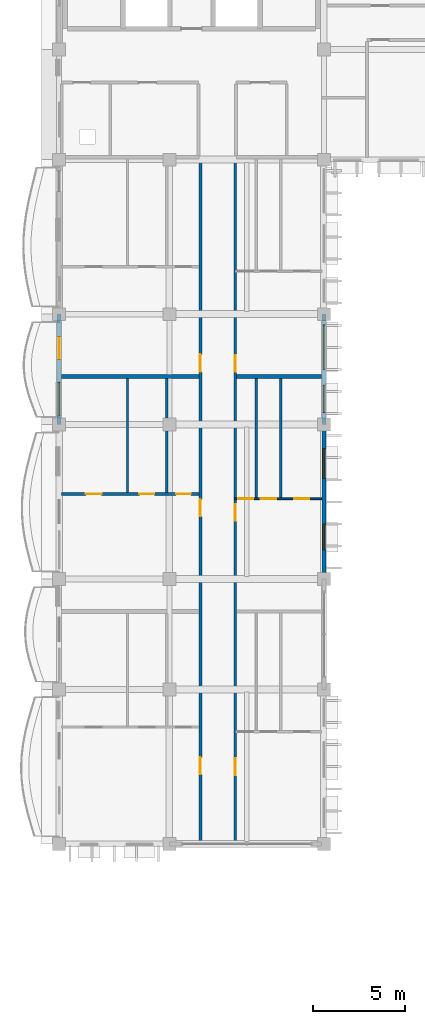
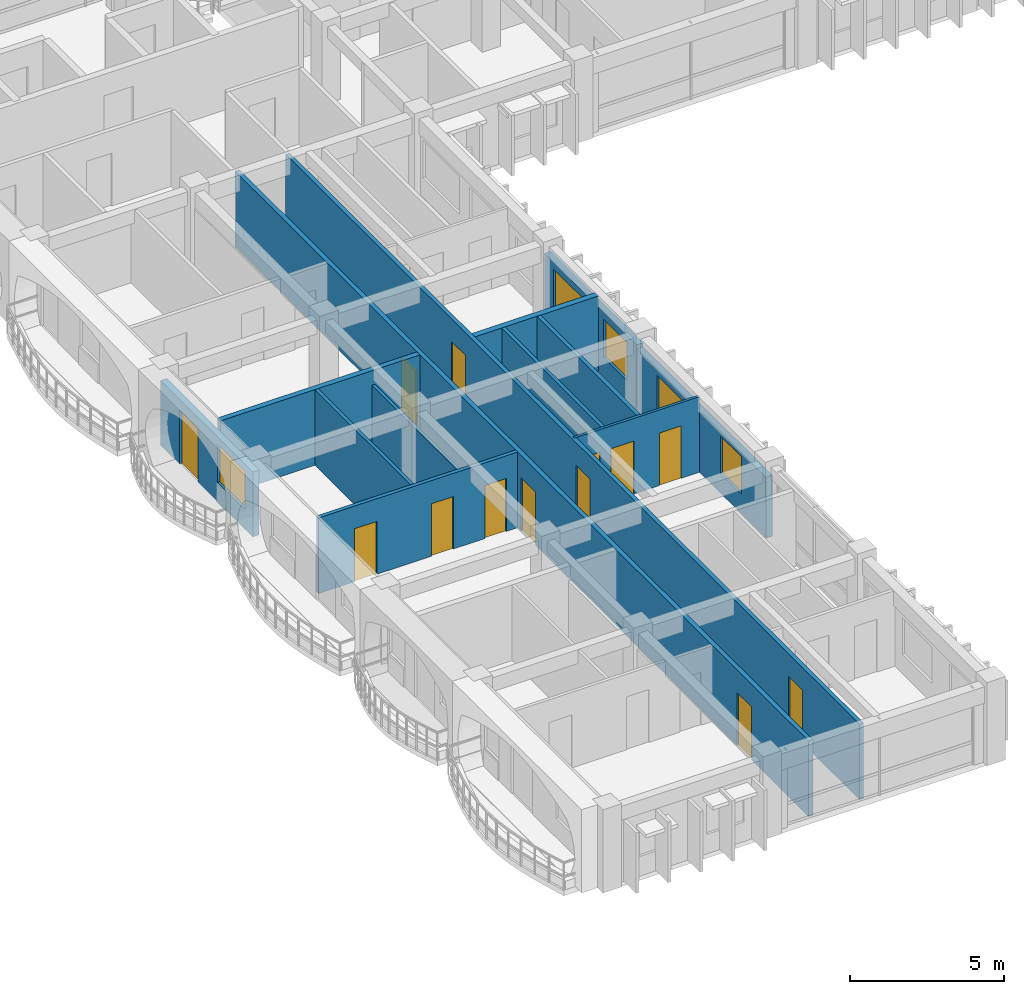
# One storey, part 32 of 79: 13 doors, 13 walls, 5 windows, 18 openings.
"""IFC4 building model written with IfcOpenShell, lengths in metres."""

from ifc_helpers import new_model, si_unit, direction, frame, frame_2d, origin, place, context, subcontext, project, spatial, rectangle, extrude, material, layer, layer_set, type_object, element, fill, save


model = new_model("IFC4")

# Units and contexts
model_context = context("Model", 3, precision=1e-05, world=origin(), true_north=direction((0.0, 1.0)))
body_context = subcontext(model_context, "Body", "Model", "MODEL_VIEW")
ifc_project = project(units=[si_unit("LENGTHUNIT", "METRE"), si_unit("AREAUNIT", "SQUARE_METRE"), si_unit("VOLUMEUNIT", "CUBIC_METRE"), si_unit("PLANEANGLEUNIT", "RADIAN"), si_unit("MASSUNIT", "GRAM", prefix="KILO"), si_unit("THERMODYNAMICTEMPERATUREUNIT", "KELVIN")], contexts=[model_context])

# Site, building, storey
site_placement = place(None, origin())
site = spatial("IfcSite", under=ifc_project, at=site_placement, CompositionType="ELEMENT")
building_placement = place(site_placement, origin())
building = spatial("IfcBuilding", under=site, at=building_placement, Name="Thalorik Housing Commons", CompositionType="ELEMENT")
storey_placement = place(building_placement, frame((0.0, 0.0, 11.39990234375)))
storey = spatial("IfcBuildingStorey", under=building, at=storey_placement, Name="L03", CompositionType="ELEMENT", Elevation=11.39990234375)

# Wall, openings, doors
ifc_material_1 = material(Name="Masonry fire-rated corridor wall", Category="masonry")
ifc_layer_1 = layer(ifc_material_1, 0.14990234375, Name="Masonry fire-rated corridor wall", Category="masonry")
ifc_layer_set_1 = layer_set([ifc_layer_1], Name="Masonry fire-rated corridor wall")
wall_type_1 = type_object("IfcWallType", Name="ARC-WAL-CORR-150", PredefinedType="PARTITIONING", material=ifc_layer_set_1)
wall_1_placement = place(storey_placement, frame((17.97998046875, 72.06005859375, 0.0), z_axis=(0.0, 0.0, 1.0), x_axis=(0.0, 1.0, 0.0)))
wall_1 = element("IfcWall", 1, at=wall_1_placement, inside=storey, type_object=wall_type_1, Name="L03 Block A W Corridor Wall 2", PredefinedType="PARTITIONING", context=body_context, shape_type="SweptSolid", body=[
    extrude(rectangle(XDim=37.280029296875, YDim=0.14990234375, at=frame_2d((18.64013671875, 0.0))), origin(), (0.0, 0.0, 1.0), 3.0),
])
opening_1_placement = place(wall_1_placement, frame((3.683837890625, 0.0, 0.0)))
opening_1 = element("IfcOpeningElement", 2, at=opening_1_placement, cuts=wall_1, Name="Opening ID-0546", PredefinedType="OPENING", context=body_context, shape_type="SweptSolid", body=[
    extrude(rectangle(XDim=0.919921875, YDim=2.10009765625, at=frame_2d((0.4599609375, 1.050048828125))), frame((0.0, 0.0849609375, 0.0), z_axis=(0.0, -1.0, 0.0), x_axis=(1.0, 0.0, 0.0)), (0.0, 0.0, 1.0), 0.169921875),
])
opening_2_placement = place(wall_1_placement, frame((17.49951171875, 0.0, 0.0)))
opening_2 = element("IfcOpeningElement", 3, at=opening_2_placement, cuts=wall_1, Name="Opening ID-0547", PredefinedType="OPENING", context=body_context, shape_type="SweptSolid", body=[
    extrude(rectangle(XDim=0.919921875, YDim=2.10009765625, at=frame_2d((0.4599609375, 1.050048828125))), frame((0.0, 0.0849609375, 0.0), z_axis=(0.0, -1.0, 0.0), x_axis=(1.0, 0.0, 0.0)), (0.0, 0.0, 1.0), 0.169921875),
])
opening_3_placement = place(wall_1_placement, frame((25.60009765625, 0.0, 0.0)))
opening_3 = element("IfcOpeningElement", 4, at=opening_3_placement, cuts=wall_1, Name="Opening ID-0548", PredefinedType="OPENING", context=body_context, shape_type="SweptSolid", body=[
    extrude(rectangle(XDim=0.919921875, YDim=2.10009765625, at=frame_2d((0.4599609375, 1.050048828125))), frame((0.0, 0.0849609375, 0.0), z_axis=(0.0, -1.0, 0.0), x_axis=(1.0, 0.0, 0.0)), (0.0, 0.0, 1.0), 0.169921875),
])
ifc_material_2 = material(Name="Solid core hardwood timber", Category="wood")
door_type_1 = type_object("IfcDoorType", Name="ARC-DR-FD30-920", OperationType="NOTDEFINED", PredefinedType="DOOR", material=ifc_material_2)
door_1_placement = place(opening_1_placement, origin())
door_1 = element("IfcDoor", 5, at=door_1_placement, inside=storey, type_object=door_type_1, Name="L03 Flat AW-1B Entrance Door", OperationType="SINGLE_SWING_LEFT", OverallHeight=2.10009765625, OverallWidth=0.919921875, PredefinedType="DOOR", context=body_context, shape_type="SweptSolid", body=[
    extrude(rectangle(XDim=0.919921875, YDim=2.10009765625, at=frame_2d((0.4599609375, 1.050048828125))), frame((0.0, 0.02490234375, 0.0), z_axis=(0.0, -1.0, 0.0), x_axis=(1.0, 0.0, 0.0)), (0.0, 0.0, 1.0), 0.050048828125),
])
fill(opening_1, door_1)
door_2_placement = place(opening_2_placement, origin())
door_2 = element("IfcDoor", 6, at=door_2_placement, inside=storey, type_object=door_type_1, Name="L03 Flat AW-2B Entrance Door", OperationType="SINGLE_SWING_RIGHT", OverallHeight=2.10009765625, OverallWidth=0.919921875, PredefinedType="DOOR", context=body_context, shape_type="SweptSolid", body=[
    extrude(rectangle(XDim=0.919921875, YDim=2.10009765625, at=frame_2d((0.4599609375, 1.050048828125))), frame((0.0, 0.02490234375, 0.0), z_axis=(0.0, -1.0, 0.0), x_axis=(1.0, 0.0, 0.0)), (0.0, 0.0, 1.0), 0.050048828125),
])
fill(opening_2, door_2)
door_3_placement = place(opening_3_placement, origin())
door_3 = element("IfcDoor", 7, at=door_3_placement, inside=storey, type_object=door_type_1, Name="L03 Flat AW-3B Entrance Door", OperationType="SINGLE_SWING_LEFT", OverallHeight=2.10009765625, OverallWidth=0.919921875, PredefinedType="DOOR", context=body_context, shape_type="SweptSolid", body=[
    extrude(rectangle(XDim=0.919921875, YDim=2.10009765625, at=frame_2d((0.4599609375, 1.050048828125))), frame((0.0, 0.02490234375, 0.0), z_axis=(0.0, -1.0, 0.0), x_axis=(1.0, 0.0, 0.0)), (0.0, 0.0, 1.0), 0.050048828125),
])
fill(opening_3, door_3)

ifc_layer_2 = layer(ifc_material_1, 0.1650390625, Name="Masonry fire-rated corridor wall", Category="masonry")
ifc_layer_set_2 = layer_set([ifc_layer_2], Name="Masonry fire-rated corridor wall")
wall_type_2 = type_object("IfcWallType", Name="ARC-WAL-CORR-165", PredefinedType="PARTITIONING", material=ifc_layer_set_2)
wall_2_placement = place(storey_placement, frame((16.080078125, 72.06005859375, 0.0), z_axis=(0.0, 0.0, 1.0), x_axis=(0.0, 1.0, 0.0)))
wall_2 = element("IfcWall", 8, at=wall_2_placement, inside=storey, type_object=wall_type_2, Name="L03 Block A W Corridor Wall 1", PredefinedType="PARTITIONING", context=body_context, shape_type="SweptSolid", body=[
    extrude(rectangle(XDim=37.280029296875, YDim=0.1650390625, at=frame_2d((18.64013671875, 0.0))), origin(), (0.0, 0.0, 1.0), 3.0),
])
opening_4_placement = place(wall_2_placement, frame((3.7216796875, 0.0, 0.0)))
opening_4 = element("IfcOpeningElement", 9, at=opening_4_placement, cuts=wall_2, Name="Opening ID-0543", PredefinedType="OPENING", context=body_context, shape_type="SweptSolid", body=[
    extrude(rectangle(XDim=0.919921875, YDim=2.10009765625, at=frame_2d((0.4599609375, 1.050048828125))), frame((0.0, 0.092529296875, 0.0), z_axis=(0.0, -1.0, 0.0), x_axis=(1.0, 0.0, 0.0)), (0.0, 0.0, 1.0), 0.18505859375),
])
opening_5_placement = place(wall_2_placement, frame((17.7548828125, 0.0, 0.0)))
opening_5 = element("IfcOpeningElement", 10, at=opening_5_placement, cuts=wall_2, Name="Opening ID-0544", PredefinedType="OPENING", context=body_context, shape_type="SweptSolid", body=[
    extrude(rectangle(XDim=0.919921875, YDim=2.10009765625, at=frame_2d((0.4599609375, 1.050048828125))), frame((0.0, 0.092529296875, 0.0), z_axis=(0.0, -1.0, 0.0), x_axis=(1.0, 0.0, 0.0)), (0.0, 0.0, 1.0), 0.18505859375),
])
opening_6_placement = place(wall_2_placement, frame((25.60009765625, 0.0, 0.0)))
opening_6 = element("IfcOpeningElement", 11, at=opening_6_placement, cuts=wall_2, Name="Opening ID-0545", PredefinedType="OPENING", context=body_context, shape_type="SweptSolid", body=[
    extrude(rectangle(XDim=0.9599609375, YDim=2.1201171875, at=frame_2d((0.47998046875, 1.06005859375))), frame((0.0, 0.092529296875, 0.0), z_axis=(0.0, -1.0, 0.0), x_axis=(1.0, 0.0, 0.0)), (0.0, 0.0, 1.0), 0.18505859375),
])
door_4_placement = place(opening_4_placement, origin())
door_4 = element("IfcDoor", 12, at=door_4_placement, inside=storey, type_object=door_type_1, Name="L03 Flat AW-1A Entrance Door", OperationType="SINGLE_SWING_RIGHT", OverallHeight=2.10009765625, OverallWidth=0.919921875, PredefinedType="DOOR", context=body_context, shape_type="SweptSolid", body=[
    extrude(rectangle(XDim=0.919921875, YDim=2.10009765625, at=frame_2d((0.4599609375, 1.050048828125))), frame((0.0, 0.02490234375, 0.0), z_axis=(0.0, -1.0, 0.0), x_axis=(1.0, 0.0, 0.0)), (0.0, 0.0, 1.0), 0.050048828125),
])
fill(opening_4, door_4)
door_5_placement = place(opening_5_placement, origin())
door_5 = element("IfcDoor", 13, at=door_5_placement, inside=storey, type_object=door_type_1, Name="L03 Flat AW-2A Entrance Door", OperationType="SINGLE_SWING_LEFT", OverallHeight=2.10009765625, OverallWidth=0.919921875, PredefinedType="DOOR", context=body_context, shape_type="SweptSolid", body=[
    extrude(rectangle(XDim=0.919921875, YDim=2.10009765625, at=frame_2d((0.4599609375, 1.050048828125))), frame((0.0, 0.02490234375, 0.0), z_axis=(0.0, -1.0, 0.0), x_axis=(1.0, 0.0, 0.0)), (0.0, 0.0, 1.0), 0.050048828125),
])
fill(opening_5, door_5)
door_type_2 = type_object("IfcDoorType", Name="ARC-DR-FD30-960", OperationType="NOTDEFINED", PredefinedType="DOOR", material=ifc_material_2)
door_6_placement = place(opening_6_placement, origin())
door_6 = element("IfcDoor", 14, at=door_6_placement, inside=storey, type_object=door_type_2, Name="L03 Flat AW-3A Entrance Door", OperationType="SINGLE_SWING_RIGHT", OverallHeight=2.1201171875, OverallWidth=0.9599609375, PredefinedType="DOOR", context=body_context, shape_type="SweptSolid", body=[
    extrude(rectangle(XDim=0.9599609375, YDim=2.1201171875, at=frame_2d((0.47998046875, 1.06005859375))), frame((0.0, 0.02490234375, 0.0), z_axis=(0.0, -1.0, 0.0), x_axis=(1.0, 0.0, 0.0)), (0.0, 0.0, 1.0), 0.050048828125),
])
fill(opening_6, door_6)

# Wall, openings, door, window
ifc_material_3 = material(Name="White precast concrete C40/50", Category="concrete")
ifc_layer_3 = layer(ifc_material_3, 0.235107421875, Name="White precast concrete C40/50", Category="concrete")
ifc_layer_set_3 = layer_set([ifc_layer_3], Name="White precast concrete C40/50")
wall_type_3 = type_object("IfcWallType", Name="ARC-WAL-EXT-235", PredefinedType="STANDARD", material=ifc_layer_set_3)
wall_3_placement = place(storey_placement, frame((8.39990234375, 100.800048828125, 0.0), z_axis=(0.0, 0.0, 1.0), x_axis=(0.0, -1.0, 0.0)))
wall_3 = element("IfcWall", 15, at=wall_3_placement, inside=storey, type_object=wall_type_3, Name="L03 Exterior Wall WAL-EXT-L03-A-0102", PredefinedType="STANDARD", context=body_context, shape_type="SweptSolid", body=[
    extrude(rectangle(XDim=6.0, YDim=0.235107421875, at=frame_2d((3.0, 0.0))), origin(), (0.0, 0.0, 1.0), 2.5751953125),
])
opening_7_placement = place(wall_3_placement, frame((1.239990234375, 0.0, 0.0)))
opening_7 = element("IfcOpeningElement", 16, at=opening_7_placement, cuts=wall_3, Name="Opening ED-0026", PredefinedType="OPENING", context=body_context, shape_type="SweptSolid", body=[
    extrude(rectangle(XDim=1.199951171875, YDim=2.14990234375, at=frame_2d((0.60009765625, 1.074951171875))), frame((0.0, 0.12744140625, 0.0), z_axis=(0.0, -1.0, 0.0), x_axis=(1.0, 0.0, 0.0)), (0.0, 0.0, 1.0), 0.255126953125),
])
opening_8_placement = place(wall_3_placement, frame((3.699951171875, 0.0, 0.780029296875)))
opening_8 = element("IfcOpeningElement", 17, at=opening_8_placement, cuts=wall_3, Name="Opening W-18", PredefinedType="OPENING", context=body_context, shape_type="SweptSolid", body=[
    extrude(rectangle(XDim=1.800048828125, YDim=1.5, at=frame_2d((0.89990234375, 0.75))), frame((0.0, 0.12744140625, 0.0), z_axis=(0.0, -1.0, 0.0), x_axis=(1.0, 0.0, 0.0)), (0.0, 0.0, 1.0), 0.255126953125),
])
ifc_material_4 = material(Name="Anodised aluminium and laminated safety glass", Category="aluminium")
door_type_3 = type_object("IfcDoorType", Name="ARC-DR-BAL-1200", OperationType="NOTDEFINED", PredefinedType="DOOR", material=ifc_material_4)
door_7_placement = place(opening_7_placement, frame((1.199951171875, 0.0, 0.0), z_axis=(0.0, 0.0, 1.0), x_axis=(-1.0, 0.0, 0.0)))
door_7 = element("IfcDoor", 18, at=door_7_placement, inside=storey, type_object=door_type_3, Name="L03 Block A Balcony Glazed Door", OperationType="SINGLE_SWING_LEFT", OverallHeight=2.14990234375, OverallWidth=1.199951171875, PredefinedType="DOOR", context=body_context, shape_type="SweptSolid", body=[
    extrude(rectangle(XDim=1.199951171875, YDim=2.14990234375, at=frame_2d((0.60009765625, 1.074951171875))), frame((0.0, 0.02490234375, 0.0), z_axis=(0.0, -1.0, 0.0), x_axis=(1.0, 0.0, 0.0)), (0.0, 0.0, 1.0), 0.050048828125),
])
fill(opening_7, door_7)
ifc_material_5 = material(Name="Anodised aluminium and solar-control low-E glass", Category="aluminium")
window_type_1 = type_object("IfcWindowType", Name="ARC-WIN-18", PartitioningType="DOUBLE_PANEL_VERTICAL", PredefinedType="WINDOW", material=ifc_material_5)
window_1_placement = place(opening_8_placement, origin())
window_1 = element("IfcWindow", 19, at=window_1_placement, inside=storey, type_object=window_type_1, Name="L03 Facade Window 179", OverallHeight=1.5, OverallWidth=1.800048828125, PartitioningType="DOUBLE_PANEL_VERTICAL", PredefinedType="WINDOW", context=body_context, shape_type="SweptSolid", body=[
    extrude(rectangle(XDim=1.800048828125, YDim=1.5, at=frame_2d((0.89990234375, 0.75))), frame((0.0, 0.030029296875, 0.0), z_axis=(0.0, -1.0, 0.0), x_axis=(1.0, 0.0, 0.0)), (0.0, 0.0, 1.0), 0.06005859375),
])
fill(opening_8, window_1)

# Wall, openings, windows
wall_4_placement = place(storey_placement, frame((22.800048828125, 86.39990234375, 0.0), z_axis=(0.0, 0.0, 1.0), x_axis=(0.0, 1.0, 0.0)))
wall_4 = element("IfcWall", 20, at=wall_4_placement, inside=storey, type_object=wall_type_3, Name="L03 Exterior Wall WAL-EXT-L03-A-0110", PredefinedType="STANDARD", context=body_context, shape_type="SweptSolid", body=[
    extrude(rectangle(XDim=8.400146484375, YDim=0.235107421875, at=frame_2d((4.2001953125, 0.0))), origin(), (0.0, 0.0, 1.0), 2.425048828125),
])
opening_9_placement = place(wall_4_placement, frame((1.58984375, 0.0, 0.780029296875)))
opening_9 = element("IfcOpeningElement", 21, at=opening_9_placement, cuts=wall_4, Name="Opening W-49", PredefinedType="OPENING", context=body_context, shape_type="SweptSolid", body=[
    extrude(rectangle(XDim=1.3798828125, YDim=1.47998046875, at=frame_2d((0.68994140625, 0.739990234375))), frame((0.0, 0.12744140625, 0.0), z_axis=(0.0, -1.0, 0.0), x_axis=(1.0, 0.0, 0.0)), (0.0, 0.0, 1.0), 0.255126953125),
])
opening_10_placement = place(wall_4_placement, frame((5.479736328125, 0.0, 0.780029296875)))
opening_10 = element("IfcOpeningElement", 22, at=opening_10_placement, cuts=wall_4, Name="Opening W-54", PredefinedType="OPENING", context=body_context, shape_type="SweptSolid", body=[
    extrude(rectangle(XDim=1.6201171875, YDim=1.3798828125, at=frame_2d((0.81005859375, 0.68994140625))), frame((0.0, 0.12744140625, 0.0), z_axis=(0.0, -1.0, 0.0), x_axis=(1.0, 0.0, 0.0)), (0.0, 0.0, 1.0), 0.255126953125),
])
window_type_2 = type_object("IfcWindowType", Name="ARC-WIN-49", PartitioningType="SINGLE_PANEL", PredefinedType="WINDOW", material=ifc_material_5)
window_2_placement = place(opening_9_placement, origin())
window_2 = element("IfcWindow", 23, at=window_2_placement, inside=storey, type_object=window_type_2, Name="L03 Facade Window 191", OverallHeight=1.47998046875, OverallWidth=1.3798828125, PartitioningType="SINGLE_PANEL", PredefinedType="WINDOW", context=body_context, shape_type="SweptSolid", body=[
    extrude(rectangle(XDim=1.3798828125, YDim=1.47998046875, at=frame_2d((0.68994140625, 0.739990234375))), frame((0.0, 0.030029296875, 0.0), z_axis=(0.0, -1.0, 0.0), x_axis=(1.0, 0.0, 0.0)), (0.0, 0.0, 1.0), 0.06005859375),
])
fill(opening_9, window_2)
window_type_3 = type_object("IfcWindowType", Name="ARC-WIN-54", PartitioningType="DOUBLE_PANEL_VERTICAL", PredefinedType="WINDOW", material=ifc_material_5)
window_3_placement = place(opening_10_placement, origin())
window_3 = element("IfcWindow", 24, at=window_3_placement, inside=storey, type_object=window_type_3, Name="L03 Facade Window 192", OverallHeight=1.3798828125, OverallWidth=1.6201171875, PartitioningType="DOUBLE_PANEL_VERTICAL", PredefinedType="WINDOW", context=body_context, shape_type="SweptSolid", body=[
    extrude(rectangle(XDim=1.6201171875, YDim=1.3798828125, at=frame_2d((0.81005859375, 0.68994140625))), frame((0.0, 0.030029296875, 0.0), z_axis=(0.0, -1.0, 0.0), x_axis=(1.0, 0.0, 0.0)), (0.0, 0.0, 1.0), 0.06005859375),
])
fill(opening_10, window_3)

wall_5_placement = place(storey_placement, frame((22.800048828125, 94.800048828125, 0.0), z_axis=(0.0, 0.0, 1.0), x_axis=(0.0, 1.0, 0.0)))
wall_5 = element("IfcWall", 25, at=wall_5_placement, inside=storey, type_object=wall_type_3, Name="L03 Exterior Wall WAL-EXT-L03-A-0111", PredefinedType="STANDARD", context=body_context, shape_type="SweptSolid", body=[
    extrude(rectangle(XDim=6.0, YDim=0.235107421875, at=frame_2d((3.0, 0.0))), origin(), (0.0, 0.0, 1.0), 2.5751953125),
])
opening_11_placement = place(wall_5_placement, frame((0.64990234375, 0.0, 0.780029296875)))
opening_11 = element("IfcOpeningElement", 26, at=opening_11_placement, cuts=wall_5, Name="Opening W-10", PredefinedType="OPENING", context=body_context, shape_type="SweptSolid", body=[
    extrude(rectangle(XDim=1.5, YDim=1.5, at=frame_2d((0.75, 0.75))), frame((0.0, 0.12744140625, 0.0), z_axis=(0.0, -1.0, 0.0), x_axis=(1.0, 0.0, 0.0)), (0.0, 0.0, 1.0), 0.255126953125),
])
opening_12_placement = place(wall_5_placement, frame((3.0, 0.0, 0.780029296875)))
opening_12 = element("IfcOpeningElement", 27, at=opening_12_placement, cuts=wall_5, Name="Opening W-70", PredefinedType="OPENING", context=body_context, shape_type="SweptSolid", body=[
    extrude(rectangle(XDim=2.419921875, YDim=1.52001953125, at=frame_2d((1.2099609375, 0.760009765625))), frame((0.0, 0.12744140625, 0.0), z_axis=(0.0, -1.0, 0.0), x_axis=(1.0, 0.0, 0.0)), (0.0, 0.0, 1.0), 0.255126953125),
])
window_type_4 = type_object("IfcWindowType", Name="ARC-WIN-10", PartitioningType="SINGLE_PANEL", PredefinedType="WINDOW", material=ifc_material_5)
window_4_placement = place(opening_11_placement, origin())
window_4 = element("IfcWindow", 28, at=window_4_placement, inside=storey, type_object=window_type_4, Name="L03 Facade Window 193", OverallHeight=1.5, OverallWidth=1.5, PartitioningType="SINGLE_PANEL", PredefinedType="WINDOW", context=body_context, shape_type="SweptSolid", body=[
    extrude(rectangle(XDim=1.5, YDim=1.5, at=frame_2d((0.75, 0.75))), frame((0.0, 0.030029296875, 0.0), z_axis=(0.0, -1.0, 0.0), x_axis=(1.0, 0.0, 0.0)), (0.0, 0.0, 1.0), 0.06005859375),
])
fill(opening_11, window_4)
window_type_5 = type_object("IfcWindowType", Name="ARC-WIN-70", PartitioningType="DOUBLE_PANEL_VERTICAL", PredefinedType="WINDOW", material=ifc_material_5)
window_5_placement = place(opening_12_placement, origin())
window_5 = element("IfcWindow", 29, at=window_5_placement, inside=storey, type_object=window_type_5, Name="L03 Facade Window 194", OverallHeight=1.52001953125, OverallWidth=2.419921875, PartitioningType="DOUBLE_PANEL_VERTICAL", PredefinedType="WINDOW", context=body_context, shape_type="SweptSolid", body=[
    extrude(rectangle(XDim=2.419921875, YDim=1.52001953125, at=frame_2d((1.2099609375, 0.760009765625))), frame((0.0, 0.030029296875, 0.0), z_axis=(0.0, -1.0, 0.0), x_axis=(1.0, 0.0, 0.0)), (0.0, 0.0, 1.0), 0.06005859375),
])
fill(opening_12, window_5)

# Wall, openings, doors
ifc_material_6 = material(Name="Gypsum light stud partition", Category="masonry")
ifc_layer_4 = layer(ifc_material_6, 0.10009765625, Name="Gypsum light stud partition", Category="masonry")
ifc_layer_set_4 = layer_set([ifc_layer_4], Name="Gypsum light stud partition")
wall_type_4 = type_object("IfcWallType", Name="ARC-WAL-PART-100", PredefinedType="PARTITIONING", material=ifc_layer_set_4)
wall_6_placement = place(storey_placement, frame((17.97998046875, 90.76953125, 0.0), z_axis=(0.0, 0.0, 1.0), x_axis=(1.0, 0.0, 0.0)))
wall_6 = element("IfcWall", 30, at=wall_6_placement, inside=storey, type_object=wall_type_4, Name="L03 Unit 2B Spine Partition", PredefinedType="PARTITIONING", context=body_context, shape_type="SweptSolid", body=[
    extrude(rectangle(XDim=4.700439453125, YDim=0.10009765625, at=frame_2d((2.35009765625, 0.0))), origin(), (0.0, 0.0, 1.0), 3.0),
])
opening_13_placement = place(wall_6_placement, frame((0.171142578125, 0.0, 0.0)))
opening_13 = element("IfcOpeningElement", 31, at=opening_13_placement, cuts=wall_6, Name="Opening ID-0534", PredefinedType="OPENING", context=body_context, shape_type="SweptSolid", body=[
    extrude(rectangle(XDim=0.800048828125, YDim=2.10009765625, at=frame_2d((0.39990234375, 1.050048828125))), frame((0.0, 0.06005859375, 0.0), z_axis=(0.0, -1.0, 0.0), x_axis=(1.0, 0.0, 0.0)), (0.0, 0.0, 1.0), 0.1201171875),
])
opening_14_placement = place(wall_6_placement, frame((1.3837890625, 0.0, 0.0)))
opening_14 = element("IfcOpeningElement", 32, at=opening_14_placement, cuts=wall_6, Name="Opening ID-0535", PredefinedType="OPENING", context=body_context, shape_type="SweptSolid", body=[
    extrude(rectangle(XDim=0.85009765625, YDim=2.10009765625, at=frame_2d((0.425048828125, 1.050048828125))), frame((0.0, 0.06005859375, 0.0), z_axis=(0.0, -1.0, 0.0), x_axis=(1.0, 0.0, 0.0)), (0.0, 0.0, 1.0), 0.1201171875),
])
opening_15_placement = place(wall_6_placement, frame((3.192626953125, 0.0, 0.0)))
opening_15 = element("IfcOpeningElement", 33, at=opening_15_placement, cuts=wall_6, Name="Opening ID-0536", PredefinedType="OPENING", context=body_context, shape_type="SweptSolid", body=[
    extrude(rectangle(XDim=0.820068359375, YDim=2.080078125, at=frame_2d((0.41015625, 1.0400390625))), frame((0.0, 0.06005859375, 0.0), z_axis=(0.0, -1.0, 0.0), x_axis=(1.0, 0.0, 0.0)), (0.0, 0.0, 1.0), 0.1201171875),
])
ifc_material_7 = material(Name="Moisture-resistant timber", Category="wood")
door_type_4 = type_object("IfcDoorType", Name="ARC-DR-INT-800", OperationType="NOTDEFINED", PredefinedType="DOOR", material=ifc_material_7)
door_8_placement = place(opening_13_placement, origin())
door_8 = element("IfcDoor", 34, at=door_8_placement, inside=storey, type_object=door_type_4, Name="L03 Flat Bathroom Door", OperationType="SINGLE_SWING_LEFT", OverallHeight=2.10009765625, OverallWidth=0.800048828125, PredefinedType="DOOR", context=body_context, shape_type="SweptSolid", body=[
    extrude(rectangle(XDim=0.800048828125, YDim=2.10009765625, at=frame_2d((0.39990234375, 1.050048828125))), frame((0.0, 0.02490234375, 0.0), z_axis=(0.0, -1.0, 0.0), x_axis=(1.0, 0.0, 0.0)), (0.0, 0.0, 1.0), 0.050048828125),
])
fill(opening_13, door_8)
ifc_material_8 = material(Name="Engineered oak timber", Category="wood")
door_type_5 = type_object("IfcDoorType", Name="ARC-DR-INT-820", OperationType="NOTDEFINED", PredefinedType="DOOR", material=ifc_material_8)
door_9_placement = place(opening_15_placement, origin())
door_9 = element("IfcDoor", 35, at=door_9_placement, inside=storey, type_object=door_type_5, Name="L03 Master Bedroom Door", OperationType="SINGLE_SWING_LEFT", OverallHeight=2.080078125, OverallWidth=0.820068359375, PredefinedType="DOOR", context=body_context, shape_type="SweptSolid", body=[
    extrude(rectangle(XDim=0.820068359375, YDim=2.080078125, at=frame_2d((0.41015625, 1.0400390625))), frame((0.0, 0.02490234375, 0.0), z_axis=(0.0, -1.0, 0.0), x_axis=(1.0, 0.0, 0.0)), (0.0, 0.0, 1.0), 0.050048828125),
])
fill(opening_15, door_9)
door_type_6 = type_object("IfcDoorType", Name="ARC-DR-INT-850", OperationType="NOTDEFINED", PredefinedType="DOOR", material=ifc_material_8)
door_10_placement = place(opening_14_placement, origin())
door_10 = element("IfcDoor", 36, at=door_10_placement, inside=storey, type_object=door_type_6, Name="L03 Eat-In Kitchen Door", OperationType="SINGLE_SWING_RIGHT", OverallHeight=2.10009765625, OverallWidth=0.85009765625, PredefinedType="DOOR", context=body_context, shape_type="SweptSolid", body=[
    extrude(rectangle(XDim=0.85009765625, YDim=2.10009765625, at=frame_2d((0.425048828125, 1.050048828125))), frame((0.0, 0.02490234375, 0.0), z_axis=(0.0, -1.0, 0.0), x_axis=(1.0, 0.0, 0.0)), (0.0, 0.0, 1.0), 0.050048828125),
])
fill(opening_14, door_10)

# Walls
ifc_material_9 = material(Name="Gypsum moisture-resistant partition", Category="masonry")
ifc_layer_5 = layer(ifc_material_9, 0.114990234375, Name="Gypsum moisture-resistant partition", Category="masonry")
ifc_layer_set_5 = layer_set([ifc_layer_5], Name="Gypsum moisture-resistant partition")
wall_type_5 = type_object("IfcWallType", Name="ARC-WAL-PART-115", PredefinedType="PARTITIONING", material=ifc_layer_set_5)
wall_7_placement = place(storey_placement, frame((14.251220703125, 91.096923828125, 0.0), z_axis=(0.0, 0.0, 1.0), x_axis=(0.0, 1.0, 0.0)))
element("IfcWall", 37, at=wall_7_placement, inside=storey, type_object=wall_type_5, Name="L03 Unit 2 Wet Wall", PredefinedType="PARTITIONING", context=body_context, shape_type="SweptSolid", body=[
    extrude(rectangle(XDim=6.211181640625, YDim=0.114990234375, at=frame_2d((3.10546875, 0.0))), origin(), (0.0, 0.0, 1.0), 2.425048828125),
])
ifc_material_10 = material(Name="Gypsum acoustic stud partition", Category="masonry")
ifc_layer_6 = layer(ifc_material_10, 0.125, Name="Gypsum acoustic stud partition", Category="masonry")
ifc_layer_set_6 = layer_set([ifc_layer_6], Name="Gypsum acoustic stud partition")
wall_type_6 = type_object("IfcWallType", Name="ARC-WAL-PART-125", PredefinedType="PARTITIONING", material=ifc_layer_set_6)
wall_8_placement = place(storey_placement, frame((12.11767578125, 91.096923828125, 0.0), z_axis=(0.0, 0.0, 1.0), x_axis=(0.0, 1.0, 0.0)))
element("IfcWall", 38, at=wall_8_placement, inside=storey, type_object=wall_type_6, Name="L03 Unit 2 Bedroom Partition", PredefinedType="PARTITIONING", context=body_context, shape_type="SweptSolid", body=[
    extrude(rectangle(XDim=6.211181640625, YDim=0.125, at=frame_2d((3.10546875, 0.0))), origin(), (0.0, 0.0, 1.0), 3.0),
])
wall_9_placement = place(storey_placement, frame((19.122314453125, 90.821533203125, 0.0), z_axis=(0.0, 0.0, 1.0), x_axis=(0.0, 1.0, 0.0)))
element("IfcWall", 39, at=wall_9_placement, inside=storey, type_object=wall_type_6, Name="L03 Unit 2B Wet Wall", PredefinedType="PARTITIONING", context=body_context, shape_type="SweptSolid", body=[
    extrude(rectangle(XDim=6.4765625, YDim=0.125, at=frame_2d((3.23828125, 0.0))), origin(), (0.0, 0.0, 1.0), 3.0),
])

# Wall, openings, doors
ifc_material_11 = material(Name="Ceramic masonry partition wall", Category="masonry")
ifc_layer_7 = layer(ifc_material_11, 0.139892578125, Name="Ceramic masonry partition wall", Category="masonry")
ifc_layer_set_7 = layer_set([ifc_layer_7], Name="Ceramic masonry partition wall")
wall_type_7 = type_object("IfcWallType", Name="ARC-WAL-PART-140", PredefinedType="PARTITIONING", material=ifc_layer_set_7)
wall_10_placement = place(storey_placement, frame((8.51953125, 91.02490234375, 0.0), z_axis=(0.0, 0.0, 1.0), x_axis=(1.0, 0.0, 0.0)))
wall_10 = element("IfcWall", 40, at=wall_10_placement, inside=storey, type_object=wall_type_7, Name="L03 Unit 2 Spine Partition", PredefinedType="PARTITIONING", context=body_context, shape_type="SweptSolid", body=[
    extrude(rectangle(XDim=7.47607421875, YDim=0.139892578125, at=frame_2d((3.738037109375, 0.0))), origin(), (0.0, 0.0, 1.0), 3.0),
])
opening_16_placement = place(wall_10_placement, frame((1.34423828125, 0.0, 0.0)))
opening_16 = element("IfcOpeningElement", 41, at=opening_16_placement, cuts=wall_10, Name="Opening ID-0531", PredefinedType="OPENING", context=body_context, shape_type="SweptSolid", body=[
    extrude(rectangle(XDim=0.85009765625, YDim=2.10009765625, at=frame_2d((0.425048828125, 1.050048828125))), frame((0.0, 0.080078125, 0.0), z_axis=(0.0, -1.0, 0.0), x_axis=(1.0, 0.0, 0.0)), (0.0, 0.0, 1.0), 0.159912109375),
])
opening_17_placement = place(wall_10_placement, frame((4.239990234375, 0.0, 0.0)))
opening_17 = element("IfcOpeningElement", 42, at=opening_17_placement, cuts=wall_10, Name="Opening ID-0532", PredefinedType="OPENING", context=body_context, shape_type="SweptSolid", body=[
    extrude(rectangle(XDim=0.820068359375, YDim=2.080078125, at=frame_2d((0.41015625, 1.0400390625))), frame((0.0, 0.080078125, 0.0), z_axis=(0.0, -1.0, 0.0), x_axis=(1.0, 0.0, 0.0)), (0.0, 0.0, 1.0), 0.159912109375),
])
opening_18_placement = place(wall_10_placement, frame((6.24609375, 0.0, 0.0)))
opening_18 = element("IfcOpeningElement", 43, at=opening_18_placement, cuts=wall_10, Name="Opening ID-0533", PredefinedType="OPENING", context=body_context, shape_type="SweptSolid", body=[
    extrude(rectangle(XDim=0.800048828125, YDim=2.10009765625, at=frame_2d((0.39990234375, 1.050048828125))), frame((0.0, 0.080078125, 0.0), z_axis=(0.0, -1.0, 0.0), x_axis=(1.0, 0.0, 0.0)), (0.0, 0.0, 1.0), 0.159912109375),
])
door_11_placement = place(opening_18_placement, origin())
door_11 = element("IfcDoor", 44, at=door_11_placement, inside=storey, type_object=door_type_4, Name="L03 Flat Bathroom Door", OperationType="SINGLE_SWING_RIGHT", OverallHeight=2.10009765625, OverallWidth=0.800048828125, PredefinedType="DOOR", context=body_context, shape_type="SweptSolid", body=[
    extrude(rectangle(XDim=0.800048828125, YDim=2.10009765625, at=frame_2d((0.39990234375, 1.050048828125))), frame((0.0, 0.02490234375, 0.0), z_axis=(0.0, -1.0, 0.0), x_axis=(1.0, 0.0, 0.0)), (0.0, 0.0, 1.0), 0.050048828125),
])
fill(opening_18, door_11)
door_12_placement = place(opening_17_placement, origin())
door_12 = element("IfcDoor", 45, at=door_12_placement, inside=storey, type_object=door_type_5, Name="L03 Galley Kitchen Door", OperationType="SINGLE_SWING_LEFT", OverallHeight=2.080078125, OverallWidth=0.820068359375, PredefinedType="DOOR", context=body_context, shape_type="SweptSolid", body=[
    extrude(rectangle(XDim=0.820068359375, YDim=2.080078125, at=frame_2d((0.41015625, 1.0400390625))), frame((0.0, 0.02490234375, 0.0), z_axis=(0.0, -1.0, 0.0), x_axis=(1.0, 0.0, 0.0)), (0.0, 0.0, 1.0), 0.050048828125),
])
fill(opening_17, door_12)
door_13_placement = place(opening_16_placement, origin())
door_13 = element("IfcDoor", 46, at=door_13_placement, inside=storey, type_object=door_type_6, Name="L03 Single Bedroom Door", OperationType="SINGLE_SWING_RIGHT", OverallHeight=2.10009765625, OverallWidth=0.85009765625, PredefinedType="DOOR", context=body_context, shape_type="SweptSolid", body=[
    extrude(rectangle(XDim=0.85009765625, YDim=2.10009765625, at=frame_2d((0.425048828125, 1.050048828125))), frame((0.0, 0.02490234375, 0.0), z_axis=(0.0, -1.0, 0.0), x_axis=(1.0, 0.0, 0.0)), (0.0, 0.0, 1.0), 0.050048828125),
])
fill(opening_16, door_13)

# Walls
wall_11_placement = place(storey_placement, frame((20.455078125, 90.821533203125, 0.0), z_axis=(0.0, 0.0, 1.0), x_axis=(0.0, 1.0, 0.0)))
element("IfcWall", 47, at=wall_11_placement, inside=storey, type_object=wall_type_7, Name="L03 Unit 2B Bedroom Partition", PredefinedType="PARTITIONING", context=body_context, shape_type="SweptSolid", body=[
    extrude(rectangle(XDim=6.4765625, YDim=0.139892578125, at=frame_2d((3.23828125, 0.0))), origin(), (0.0, 0.0, 1.0), 3.0),
])
ifc_material_12 = material(Name="Precast concrete C40/50 acoustic wall", Category="concrete")
ifc_layer_8 = layer(ifc_material_12, 0.199951171875, Name="Precast concrete C40/50 acoustic wall", Category="concrete")
ifc_layer_set_8 = layer_set([ifc_layer_8], Name="Precast concrete C40/50 acoustic wall")
wall_type_8 = type_object("IfcWallType", Name="ARC-WAL-PARTY-200", PredefinedType="PARTITIONING", material=ifc_layer_set_8)
wall_12_placement = place(storey_placement, frame((8.51953125, 97.409912109375, 0.0), z_axis=(0.0, 0.0, 1.0), x_axis=(1.0, 0.0, 0.0)))
element("IfcWall", 48, at=wall_12_placement, inside=storey, type_object=wall_type_8, Name="L03 Inter-Tenancy Wall 2A", PredefinedType="PARTITIONING", context=body_context, shape_type="SweptSolid", body=[
    extrude(rectangle(XDim=7.47607421875, YDim=0.199951171875, at=frame_2d((3.738037109375, 0.0))), origin(), (0.0, 0.0, 1.0), 3.0),
])
ifc_layer_9 = layer(ifc_material_12, 0.219970703125, Name="Precast concrete C40/50 acoustic wall", Category="concrete")
ifc_layer_set_9 = layer_set([ifc_layer_9], Name="Precast concrete C40/50 acoustic wall")
wall_type_9 = type_object("IfcWallType", Name="ARC-WAL-PARTY-220", PredefinedType="PARTITIONING", material=ifc_layer_set_9)
wall_13_placement = place(storey_placement, frame((18.056884765625, 97.409912109375, 0.0), z_axis=(0.0, 0.0, 1.0), x_axis=(1.0, 0.0, 0.0)))
element("IfcWall", 49, at=wall_13_placement, inside=storey, type_object=wall_type_9, Name="L03 Inter-Tenancy Wall 2B", PredefinedType="PARTITIONING", context=body_context, shape_type="SweptSolid", body=[
    extrude(rectangle(XDim=4.62353515625, YDim=0.219970703125, at=frame_2d((2.311767578125, 0.0))), origin(), (0.0, 0.0, 1.0), 3.0),
])

save(model, "model.ifc")
